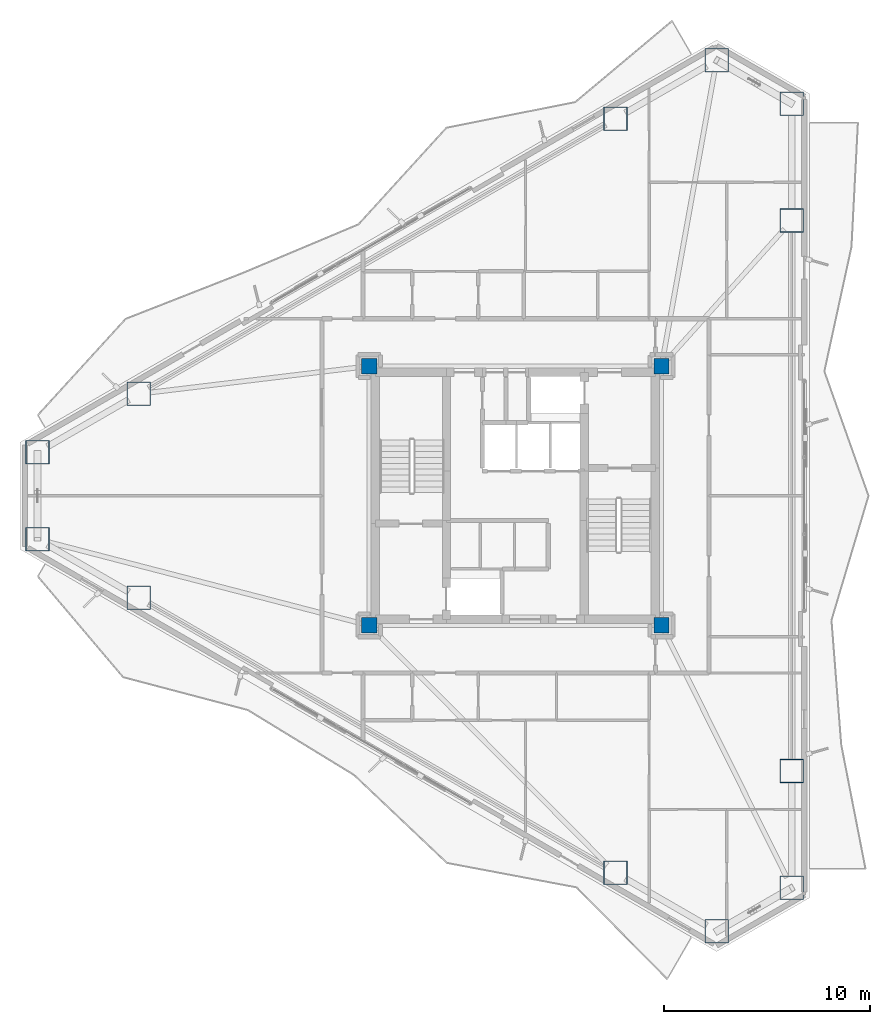
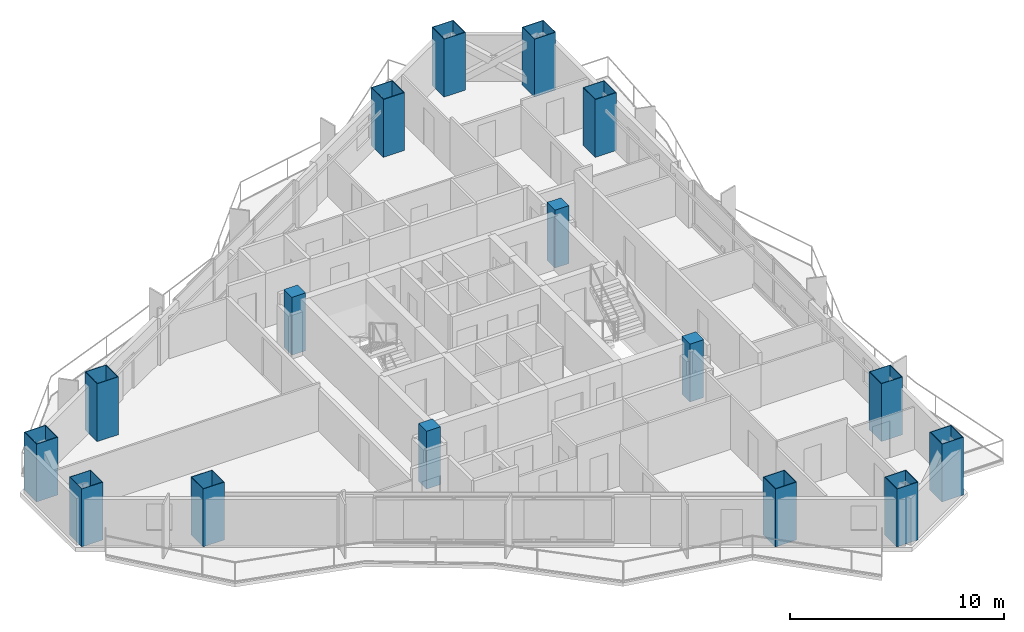
# One storey, part 1 of 22: 16 columns.
"""IFC4 building model written with IfcOpenShell, lengths in metres."""

from ifc_helpers import new_model, si_unit, direction, frame, origin, origin_2d, place, context, subcontext, project, spatial, rectangle, hollow_rectangle, extrude, material, material_profile, profile_set, type_object, element, save


model = new_model("IFC4")

# Units and contexts
model_context = context("Model", 3, precision=1e-05, world=origin(), true_north=direction((0.0, 1.0)))
body_context = subcontext(model_context, "Body", "Model", "MODEL_VIEW")
ifc_project = project(units=[si_unit("LENGTHUNIT", "METRE"), si_unit("AREAUNIT", "SQUARE_METRE"), si_unit("VOLUMEUNIT", "CUBIC_METRE"), si_unit("PLANEANGLEUNIT", "RADIAN"), si_unit("MASSUNIT", "GRAM", prefix="KILO")], contexts=[model_context])

# Site, building, storey
site_placement = place(None, origin())
site = spatial("IfcSite", under=ifc_project, at=site_placement, CompositionType="ELEMENT")
building_placement = place(site_placement, origin())
building = spatial("IfcBuilding", under=site, at=building_placement, Name="Mersakhor Tower and Convention Hall", CompositionType="ELEMENT")
storey_placement = place(building_placement, frame((0.0, 0.0, 109.800048828125)))
storey = spatial("IfcBuildingStorey", under=building, at=storey_placement, Name="L30", CompositionType="ELEMENT", Elevation=109.800048828125)

# Columns
ifc_material_1 = material(Name="Concrete C60/75 in S460M steel box", Category="concrete")
ifc_material_profile_1 = material_profile(ifc_material_1, hollow_rectangle(XDim=1.14990234375, YDim=1.14990234375, WallThickness=0.031982421875, at=origin_2d()), Name="SHS 1150x1150x32")
ifc_profile_set_1 = profile_set([ifc_material_profile_1], Name="Concrete C60/75 in S460M steel box")
column_type_1 = type_object("IfcColumnType", Name="COL-CFT-1150", PredefinedType="COLUMN", material=ifc_profile_set_1)
for number, where, z_axis, x_axis, name in (
    (1, (5.78662109375, 28.86083984375, 0.0), (0.0, 0.0, 1.0), (1.0, 0.0, 0.0), "L30 Perimeter Mega-Column MC-01"),
    (2, (10.702392578125, 31.698974609375, 0.0), (0.0, 0.0, 1.0), (1.0, 0.0, 0.0), "L30 Perimeter Mega-Column MC-02"),
    (3, (33.86279296875, 45.070556640625, 0.0), (0.0, 0.0, 1.0), (1.0, 0.0, 0.0), "L30 Perimeter Mega-Column MC-03"),
    (4, (38.77880859375, 47.90869140625, 0.0), (0.0, 0.0, 1.0), (1.0, 0.0, 0.0), "L30 Perimeter Mega-Column MC-04"),
    (5, (42.4345703125, 45.798095703125, 0.0), (0.0, 0.0, 1.0), (1.0, 0.0, 0.0), "L30 Perimeter Mega-Column MC-05"),
    (6, (42.4345703125, 40.12158203125, 0.0), (0.0, 0.0, 1.0), (1.0, 0.0, 0.0), "L30 Perimeter Mega-Column MC-06"),
    (7, (42.4345703125, 13.37841796875, 0.0), (0.0, 0.0, 1.0), (1.0, 0.0, 0.0), "L30 Perimeter Mega-Column MC-07"),
    (8, (42.4345703125, 7.701904296875, 0.0), (0.0, 0.0, 1.0), (1.0, 0.0, 0.0), "L30 Perimeter Mega-Column MC-08"),
    (9, (38.77880859375, 5.59130859375, 0.0), (0.0, 0.0, 1.0), (1.0, 0.0, 0.0), "L30 Perimeter Mega-Column MC-09"),
    (10, (33.86279296875, 8.429443359375, 0.0), (0.0, 0.0, 1.0), (1.0, 0.0, 0.0), "L30 Perimeter Mega-Column MC-10"),
    (11, (10.702392578125, 21.801025390625, 0.0), (0.0, 0.0, 1.0), (1.0, 0.0, 0.0), "L30 Perimeter Mega-Column MC-11"),
    (12, (5.78662109375, 24.63916015625, 0.0), (0.0, 0.0, 1.0), (1.0, 0.0, 0.0), "L30 Perimeter Mega-Column MC-12"),
):
    element("IfcColumn", number, at=place(storey_placement, frame(where, z_axis=z_axis, x_axis=x_axis)), inside=storey, type_object=column_type_1, Name=name, PredefinedType="COLUMN", context=body_context, shape_type="SweptSolid", body=[
        extrude(hollow_rectangle(XDim=1.14990234375, YDim=1.14990234375, WallThickness=0.031982421875, at=origin_2d()), origin(), (0.0, 0.0, 1.0), 3.300048828125),
    ])
ifc_material_2 = material(Name="Concrete C50/60", Category="concrete")
ifc_material_profile_2 = material_profile(ifc_material_2, rectangle(XDim=0.75, YDim=0.75, at=origin_2d()), Name="RC 750x750")
ifc_profile_set_2 = profile_set([ifc_material_profile_2], Name="Concrete C50/60")
column_type_2 = type_object("IfcColumnType", Name="COL-RC-750", PredefinedType="COLUMN", material=ifc_profile_set_2)
for number, where, z_axis, x_axis, name in (
    (13, (21.89990234375, 20.449951171875, 0.0), (0.0, 0.0, 1.0), (1.0, 0.0, 0.0), "L30 Core Corner Column CC-1"),
    (14, (21.89990234375, 33.050048828125, 0.0), (0.0, 0.0, 1.0), (1.0, 0.0, 0.0), "L30 Core Corner Column CC-2"),
    (15, (36.10009765625, 33.050048828125, 0.0), (0.0, 0.0, 1.0), (1.0, 0.0, 0.0), "L30 Core Corner Column CC-3"),
    (16, (36.10009765625, 20.449951171875, 0.0), (0.0, 0.0, 1.0), (1.0, 0.0, 0.0), "L30 Core Corner Column CC-4"),
):
    element("IfcColumn", number, at=place(storey_placement, frame(where, z_axis=z_axis, x_axis=x_axis)), inside=storey, type_object=column_type_2, Name=name, PredefinedType="COLUMN", context=body_context, shape_type="SweptSolid", body=[
        extrude(rectangle(XDim=0.75, YDim=0.75, at=origin_2d()), origin(), (0.0, 0.0, 1.0), 3.300048828125),
    ])

save(model, "model.ifc")
